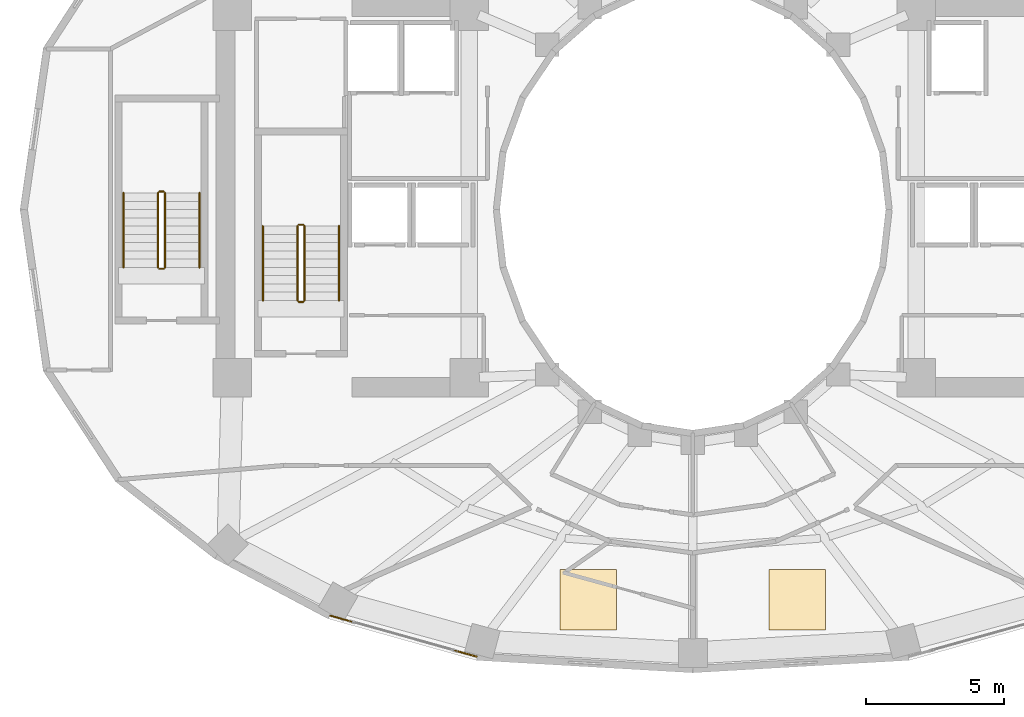
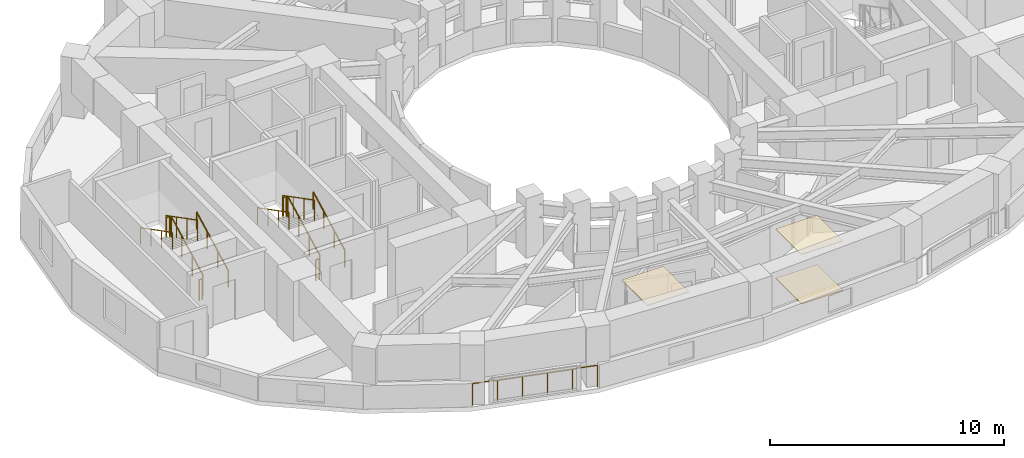
# One storey, part 14 of 16: 13 railings, 3 coverings.
"""IFC4 building model written with IfcOpenShell, lengths in metres."""

from ifc_helpers import new_model, si_unit, direction, frame, origin, origin_2d, place, context, subcontext, project, spatial, polyline, circle, outline, extrude, material, layer, layer_set, type_object, element, save


model = new_model("IFC4")

# Units and contexts
model_context = context("Model", 3, precision=1e-05, world=origin(), true_north=direction((0.0, 1.0)))
body_context = subcontext(model_context, "Body", "Model", "MODEL_VIEW")
ifc_project = project(units=[si_unit("LENGTHUNIT", "METRE"), si_unit("AREAUNIT", "SQUARE_METRE"), si_unit("VOLUMEUNIT", "CUBIC_METRE"), si_unit("PLANEANGLEUNIT", "RADIAN"), si_unit("MASSUNIT", "GRAM", prefix="KILO")], contexts=[model_context])

# Site, building, storey
site_placement = place(None, origin())
site = spatial("IfcSite", under=ifc_project, at=site_placement, CompositionType="ELEMENT")
building_placement = place(site_placement, origin())
building = spatial("IfcBuilding", under=site, at=building_placement, Name="Solvane Sanctuary Tower", CompositionType="ELEMENT")
storey_placement = place(building_placement, frame((0.0, 0.0, 119.699951171875)))
storey = spatial("IfcBuildingStorey", under=building, at=storey_placement, Name="L36", CompositionType="ELEMENT", Elevation=119.699951171875)

# Coverings
ifc_material_1 = material(Name="Acoustic Gypsum Partition Board")
ifc_layer_1 = layer(ifc_material_1, 0.02490234375, Name="Acoustic Gypsum Partition Board")
ifc_layer_set_1 = layer_set([ifc_layer_1], Name="Acoustic Gypsum Partition Board")
covering_type_1 = type_object("IfcCoveringType", Name="Covering CLG-ACOUST", PredefinedType="CEILING", material=ifc_layer_set_1)
covering_1_placement = place(storey_placement, frame((0.0, 0.0, 2.570068359375)))
element("IfcCovering", 1, at=covering_1_placement, inside=storey, type_object=covering_type_1, Name="L36 Unit Acoustic Ceiling Panel 3", PredefinedType="CEILING", context=body_context, shape_type="SweptSolid", body=[
    extrude(outline(polyline([(27.18310546875, 7.7490234375), (29.23291015625, 7.7490234375), (29.23291015625, 9.948974609375), (27.18310546875, 9.948974609375), (27.18310546875, 7.7490234375)])), origin(), (0.0, 0.0, 1.0), 0.030029296875),
])
covering_2_placement = place(storey_placement, frame((0.0, 0.0, 2.570068359375)))
element("IfcCovering", 2, at=covering_2_placement, inside=storey, type_object=covering_type_1, Name="L36 Unit Acoustic Ceiling Panel 4", PredefinedType="CEILING", context=body_context, shape_type="SweptSolid", body=[
    extrude(outline(polyline([(34.76708984375, 7.7490234375), (36.81689453125, 7.7490234375), (36.81689453125, 9.948974609375), (34.76708984375, 9.948974609375), (34.76708984375, 7.7490234375)])), origin(), (0.0, 0.0, 1.0), 0.030029296875),
])
ifc_material_2 = material(Name="Ceramic Tile Finish")
ifc_layer_2 = layer(ifc_material_2, 0.030029296875, Name="Ceramic Tile Finish")
ifc_layer_set_2 = layer_set([ifc_layer_2], Name="Ceramic Tile Finish")
covering_type_2 = type_object("IfcCoveringType", Name="Covering FLR-TERRAZZO", PredefinedType="FLOORING", material=ifc_layer_set_2)
covering_3_placement = place(storey_placement, origin())
element("IfcCovering", 3, at=covering_3_placement, inside=storey, type_object=covering_type_2, Name="L36 Unit Terrazzo Inlay 4", PredefinedType="FLOORING", context=body_context, shape_type="SweptSolid", body=[
    extrude(outline(polyline([(34.76708984375, 7.7490234375), (36.81689453125, 7.7490234375), (36.81689453125, 9.948974609375), (34.76708984375, 9.948974609375), (34.76708984375, 7.7490234375)])), origin(), (0.0, 0.0, 1.0), 0.03515625),
])

# Railings
ifc_material_3 = material(Name="Architectural Stainless Steel 316", Category="steel")
railing_type_1 = type_object("IfcRailingType", Name="Railing GR-BALC-1150", PredefinedType="BALUSTRADE", material=ifc_material_3)
railing_1_placement = place(storey_placement, frame((18.855712890625, 8.2705078125, 0.0)))
element("IfcRailing", 4, at=railing_1_placement, inside=storey, type_object=railing_type_1, Name="L36 Curtain-Wall Perimeter Sill Guard 16", PredefinedType="BALUSTRADE", context=body_context, shape_type="SweptSolid", body=[
    extrude(circle(Radius=0.02392578125, at=origin_2d()), frame((0.0, 0.0, 1.1259765625), z_axis=(0.96295710783, -0.269654609601, 0.0), x_axis=(0.269654609601, 0.96295710783, 0.0)), (0.0, 0.0, 1.0), 5.5029296875),
    extrude(circle(Radius=0.02099609375, at=origin_2d()), origin(), (0.0, 0.0, 1.0), 1.101806640625),
    extrude(circle(Radius=0.02099609375, at=origin_2d()), frame((1.059814453125, -0.296875, 0.0)), (0.0, 0.0, 1.0), 1.101806640625),
    extrude(circle(Radius=0.02099609375, at=origin_2d()), frame((2.11962890625, -0.593505859375, 0.0)), (0.0, 0.0, 1.0), 1.101806640625),
    extrude(circle(Radius=0.02099609375, at=origin_2d()), frame((3.179443359375, -0.890380859375, 0.0)), (0.0, 0.0, 1.0), 1.101806640625),
    extrude(circle(Radius=0.02099609375, at=origin_2d()), frame((4.2392578125, -1.18701171875, 0.0)), (0.0, 0.0, 1.0), 1.101806640625),
    extrude(circle(Radius=0.02099609375, at=origin_2d()), frame((5.299072265625, -1.48388671875, 0.0)), (0.0, 0.0, 1.0), 1.101806640625),
])
railing_2_placement = place(storey_placement, frame((17.919921875, 19.699951171875, 0.155029296875)))
element("IfcRailing", 5, at=railing_2_placement, inside=storey, type_object=railing_type_1, Name="L36 ST-1 stair guard 1", PredefinedType="BALUSTRADE", context=body_context, shape_type="SweptSolid", body=[
    extrude(circle(Radius=0.02392578125, at=origin_2d()), frame((0.0, 0.0, 1.076171875), z_axis=(0.0, 0.888419900624, 0.459031676658), x_axis=(-1.0, 0.0, 0.0)), (0.0, 0.0, 1.0), 3.0390625),
    extrude(circle(Radius=0.02099609375, at=origin_2d()), origin(), (0.0, 0.0, 1.0), 1.052001953125),
    extrude(circle(Radius=0.02099609375, at=origin_2d()), frame((0.0, 0.89990234375, 0.465087890625)), (0.0, 0.0, 1.0), 1.052001953125),
    extrude(circle(Radius=0.02099609375, at=origin_2d()), frame((0.0, 1.800048828125, 0.929931640625)), (0.0, 0.0, 1.0), 1.052001953125),
    extrude(circle(Radius=0.02099609375, at=origin_2d()), frame((0.0, 2.699951171875, 1.39501953125)), (0.0, 0.0, 1.0), 1.052001953125),
])
railing_3_placement = place(storey_placement, frame((17.8701171875, 22.449951171875, 1.550048828125)))
element("IfcRailing", 6, at=railing_3_placement, inside=storey, type_object=railing_type_1, Name="L36 ST-1 stair guard 2", PredefinedType="BALUSTRADE", context=body_context, shape_type="SweptSolid", body=[
    extrude(circle(Radius=0.02392578125, at=origin_2d()), frame((0.0, 0.0, 1.076171875), z_axis=(-1.0, 0.0, 0.0), x_axis=(0.0, -1.0, 0.0)), (0.0, 0.0, 1.0), 0.16015625),
    extrude(circle(Radius=0.02099609375, at=origin_2d()), origin(), (0.0, 0.0, 1.0), 1.052001953125),
    extrude(circle(Radius=0.02099609375, at=origin_2d()), frame((-0.16015625, 0.0, 0.0)), (0.0, 0.0, 1.0), 1.052001953125),
])
railing_4_placement = place(storey_placement, frame((17.659912109375, 22.39990234375, 1.705078125)))
element("IfcRailing", 7, at=railing_4_placement, inside=storey, type_object=railing_type_1, Name="L36 ST-1 stair guard 3", PredefinedType="BALUSTRADE", context=body_context, shape_type="SweptSolid", body=[
    extrude(circle(Radius=0.02392578125, at=origin_2d()), frame((0.0, 0.0, 1.076171875), z_axis=(0.0, -0.888419900624, 0.459031676658), x_axis=(1.0, 0.0, 0.0)), (0.0, 0.0, 1.0), 3.0390625),
    extrude(circle(Radius=0.02099609375, at=origin_2d()), origin(), (0.0, 0.0, 1.0), 1.052001953125),
    extrude(circle(Radius=0.02099609375, at=origin_2d()), frame((0.0, -0.89990234375, 0.465087890625)), (0.0, 0.0, 1.0), 1.052001953125),
    extrude(circle(Radius=0.02099609375, at=origin_2d()), frame((0.0, -1.800048828125, 0.929931640625)), (0.0, 0.0, 1.0), 1.052001953125),
    extrude(circle(Radius=0.02099609375, at=origin_2d()), frame((0.0, -2.699951171875, 1.39501953125)), (0.0, 0.0, 1.0), 1.052001953125),
])
railing_5_placement = place(storey_placement, frame((17.8701171875, 19.64990234375, 0.0)))
element("IfcRailing", 8, at=railing_5_placement, inside=storey, type_object=railing_type_1, Name="L36 ST-1 stair guard 4", PredefinedType="BALUSTRADE", context=body_context, shape_type="SweptSolid", body=[
    extrude(circle(Radius=0.02392578125, at=origin_2d()), frame((0.0, 0.0, 1.076171875), z_axis=(-1.0, 0.0, 0.0), x_axis=(0.0, -1.0, 0.0)), (0.0, 0.0, 1.0), 0.16015625),
    extrude(circle(Radius=0.02099609375, at=origin_2d()), origin(), (0.0, 0.0, 1.0), 1.052001953125),
    extrude(circle(Radius=0.02099609375, at=origin_2d()), frame((-0.16015625, 0.0, 0.0)), (0.0, 0.0, 1.0), 1.052001953125),
])
railing_6_placement = place(storey_placement, frame((12.860107421875, 20.89990234375, 0.155029296875)))
element("IfcRailing", 9, at=railing_6_placement, inside=storey, type_object=railing_type_1, Name="L36 ST-3 stair guard 1", PredefinedType="BALUSTRADE", context=body_context, shape_type="SweptSolid", body=[
    extrude(circle(Radius=0.02392578125, at=origin_2d()), frame((0.0, 0.0, 1.076171875), z_axis=(0.0, 0.888436826113, 0.458998917216), x_axis=(-1.0, 0.0, 0.0)), (0.0, 0.0, 1.0), 3.039306640625),
    extrude(circle(Radius=0.02099609375, at=origin_2d()), origin(), (0.0, 0.0, 1.0), 1.052001953125),
    extrude(circle(Radius=0.02099609375, at=origin_2d()), frame((0.0, 0.900146484375, 0.465087890625)), (0.0, 0.0, 1.0), 1.052001953125),
    extrude(circle(Radius=0.02099609375, at=origin_2d()), frame((0.0, 1.800048828125, 0.929931640625)), (0.0, 0.0, 1.0), 1.052001953125),
    extrude(circle(Radius=0.02099609375, at=origin_2d()), frame((0.0, 2.7001953125, 1.39501953125)), (0.0, 0.0, 1.0), 1.052001953125),
])
railing_7_placement = place(storey_placement, frame((12.81005859375, 23.64990234375, 1.550048828125)))
element("IfcRailing", 10, at=railing_7_placement, inside=storey, type_object=railing_type_1, Name="L36 ST-3 stair guard 2", PredefinedType="BALUSTRADE", context=body_context, shape_type="SweptSolid", body=[
    extrude(circle(Radius=0.02392578125, at=origin_2d()), frame((0.0, 0.0, 1.076171875), z_axis=(-1.0, 0.0, 0.0), x_axis=(0.0, -1.0, 0.0)), (0.0, 0.0, 1.0), 0.16015625),
    extrude(circle(Radius=0.02099609375, at=origin_2d()), origin(), (0.0, 0.0, 1.0), 1.052001953125),
    extrude(circle(Radius=0.02099609375, at=origin_2d()), frame((-0.16015625, 0.0, 0.0)), (0.0, 0.0, 1.0), 1.052001953125),
])
railing_8_placement = place(storey_placement, frame((12.60009765625, 23.60009765625, 1.705078125)))
element("IfcRailing", 11, at=railing_8_placement, inside=storey, type_object=railing_type_1, Name="L36 ST-3 stair guard 3", PredefinedType="BALUSTRADE", context=body_context, shape_type="SweptSolid", body=[
    extrude(circle(Radius=0.02392578125, at=origin_2d()), frame((0.0, 0.0, 1.076171875), z_axis=(0.0, -0.888436826113, 0.458998917216), x_axis=(1.0, 0.0, 0.0)), (0.0, 0.0, 1.0), 3.039306640625),
    extrude(circle(Radius=0.02099609375, at=origin_2d()), origin(), (0.0, 0.0, 1.0), 1.052001953125),
    extrude(circle(Radius=0.02099609375, at=origin_2d()), frame((0.0, -0.900146484375, 0.465087890625)), (0.0, 0.0, 1.0), 1.052001953125),
    extrude(circle(Radius=0.02099609375, at=origin_2d()), frame((0.0, -1.800048828125, 0.929931640625)), (0.0, 0.0, 1.0), 1.052001953125),
    extrude(circle(Radius=0.02099609375, at=origin_2d()), frame((0.0, -2.7001953125, 1.39501953125)), (0.0, 0.0, 1.0), 1.052001953125),
])
railing_9_placement = place(storey_placement, frame((12.81005859375, 20.85009765625, 0.0)))
element("IfcRailing", 12, at=railing_9_placement, inside=storey, type_object=railing_type_1, Name="L36 ST-3 stair guard 4", PredefinedType="BALUSTRADE", context=body_context, shape_type="SweptSolid", body=[
    extrude(circle(Radius=0.02392578125, at=origin_2d()), frame((0.0, 0.0, 1.076171875), z_axis=(-1.0, 0.0, 0.0), x_axis=(0.0, -1.0, 0.0)), (0.0, 0.0, 1.0), 0.16015625),
    extrude(circle(Radius=0.02099609375, at=origin_2d()), origin(), (0.0, 0.0, 1.0), 1.052001953125),
    extrude(circle(Radius=0.02099609375, at=origin_2d()), frame((-0.16015625, 0.0, 0.0)), (0.0, 0.0, 1.0), 1.052001953125),
])
railing_type_2 = type_object("IfcRailingType", Name="Railing HR-STAIR-920", PredefinedType="HANDRAIL", material=ifc_material_3)
railing_10_placement = place(storey_placement, frame((19.169921875, 19.699951171875, 0.155029296875)))
element("IfcRailing", 13, at=railing_10_placement, inside=storey, type_object=railing_type_2, Name="L36 ST-1 stair handrail 1", PredefinedType="HANDRAIL", context=body_context, shape_type="SweptSolid", body=[
    extrude(circle(Radius=0.02392578125, at=origin_2d()), frame((0.0, 0.0, 0.8759765625), z_axis=(0.0, 0.888419900624, 0.459031676658), x_axis=(-1.0, 0.0, 0.0)), (0.0, 0.0, 1.0), 3.0390625),
    extrude(circle(Radius=0.02099609375, at=origin_2d()), origin(), (0.0, 0.0, 1.0), 0.851806640625),
    extrude(circle(Radius=0.02099609375, at=origin_2d()), frame((0.0, 0.89990234375, 0.465087890625)), (0.0, 0.0, 1.0), 0.851806640625),
    extrude(circle(Radius=0.02099609375, at=origin_2d()), frame((0.0, 1.800048828125, 0.929931640625)), (0.0, 0.0, 1.0), 0.851806640625),
    extrude(circle(Radius=0.02099609375, at=origin_2d()), frame((0.0, 2.699951171875, 1.39501953125)), (0.0, 0.0, 1.0), 0.851806640625),
])
railing_11_placement = place(storey_placement, frame((16.409912109375, 22.39990234375, 1.705078125)))
element("IfcRailing", 14, at=railing_11_placement, inside=storey, type_object=railing_type_2, Name="L36 ST-1 stair handrail 2", PredefinedType="HANDRAIL", context=body_context, shape_type="SweptSolid", body=[
    extrude(circle(Radius=0.02392578125, at=origin_2d()), frame((0.0, 0.0, 0.8759765625), z_axis=(0.0, -0.888419900624, 0.459031676658), x_axis=(1.0, 0.0, 0.0)), (0.0, 0.0, 1.0), 3.0390625),
    extrude(circle(Radius=0.02099609375, at=origin_2d()), origin(), (0.0, 0.0, 1.0), 0.851806640625),
    extrude(circle(Radius=0.02099609375, at=origin_2d()), frame((0.0, -0.89990234375, 0.465087890625)), (0.0, 0.0, 1.0), 0.851806640625),
    extrude(circle(Radius=0.02099609375, at=origin_2d()), frame((0.0, -1.800048828125, 0.929931640625)), (0.0, 0.0, 1.0), 0.851806640625),
    extrude(circle(Radius=0.02099609375, at=origin_2d()), frame((0.0, -2.699951171875, 1.39501953125)), (0.0, 0.0, 1.0), 0.851806640625),
])
railing_12_placement = place(storey_placement, frame((14.110107421875, 20.89990234375, 0.155029296875)))
element("IfcRailing", 15, at=railing_12_placement, inside=storey, type_object=railing_type_2, Name="L36 ST-3 stair handrail 1", PredefinedType="HANDRAIL", context=body_context, shape_type="SweptSolid", body=[
    extrude(circle(Radius=0.02392578125, at=origin_2d()), frame((0.0, 0.0, 0.8759765625), z_axis=(0.0, 0.888436826113, 0.458998917216), x_axis=(-1.0, 0.0, 0.0)), (0.0, 0.0, 1.0), 3.039306640625),
    extrude(circle(Radius=0.02099609375, at=origin_2d()), origin(), (0.0, 0.0, 1.0), 0.851806640625),
    extrude(circle(Radius=0.02099609375, at=origin_2d()), frame((0.0, 0.900146484375, 0.465087890625)), (0.0, 0.0, 1.0), 0.851806640625),
    extrude(circle(Radius=0.02099609375, at=origin_2d()), frame((0.0, 1.800048828125, 0.929931640625)), (0.0, 0.0, 1.0), 0.851806640625),
    extrude(circle(Radius=0.02099609375, at=origin_2d()), frame((0.0, 2.7001953125, 1.39501953125)), (0.0, 0.0, 1.0), 0.851806640625),
])
railing_13_placement = place(storey_placement, frame((11.35009765625, 23.60009765625, 1.705078125)))
element("IfcRailing", 16, at=railing_13_placement, inside=storey, type_object=railing_type_2, Name="L36 ST-3 stair handrail 2", PredefinedType="HANDRAIL", context=body_context, shape_type="SweptSolid", body=[
    extrude(circle(Radius=0.02392578125, at=origin_2d()), frame((0.0, 0.0, 0.8759765625), z_axis=(0.0, -0.888436826113, 0.458998917216), x_axis=(1.0, 0.0, 0.0)), (0.0, 0.0, 1.0), 3.039306640625),
    extrude(circle(Radius=0.02099609375, at=origin_2d()), origin(), (0.0, 0.0, 1.0), 0.851806640625),
    extrude(circle(Radius=0.02099609375, at=origin_2d()), frame((0.0, -0.900146484375, 0.465087890625)), (0.0, 0.0, 1.0), 0.851806640625),
    extrude(circle(Radius=0.02099609375, at=origin_2d()), frame((0.0, -1.800048828125, 0.929931640625)), (0.0, 0.0, 1.0), 0.851806640625),
    extrude(circle(Radius=0.02099609375, at=origin_2d()), frame((0.0, -2.7001953125, 1.39501953125)), (0.0, 0.0, 1.0), 0.851806640625),
])

save(model, "model.ifc")
